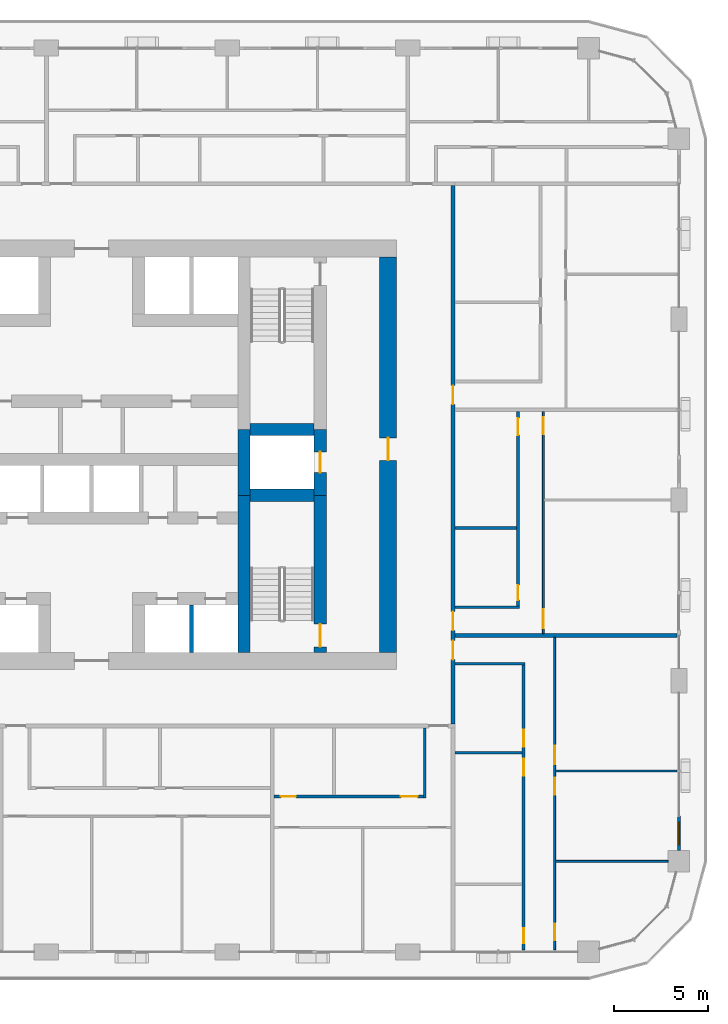
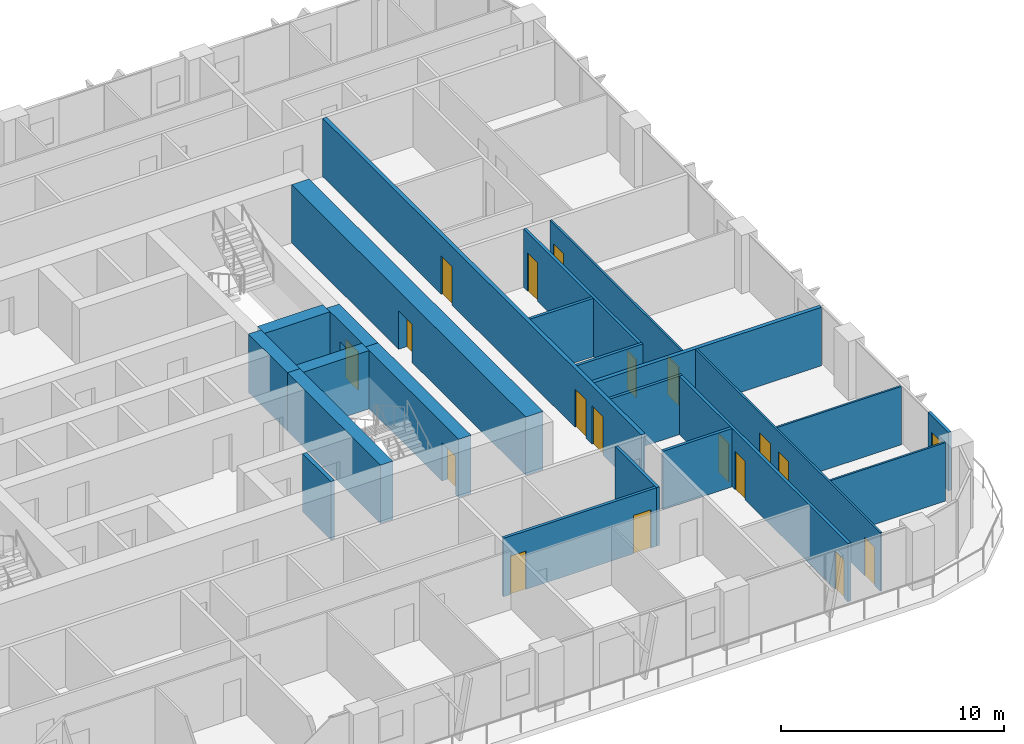
# One storey, part 12 of 22: 23 walls, 18 doors, 1 window, 19 openings.
"""IFC4 building model written with IfcOpenShell, lengths in metres."""

from ifc_helpers import new_model, si_unit, direction, frame, frame_2d, origin, place, context, subcontext, project, spatial, rectangle, extrude, material, layer, layer_set, type_object, element, fill, save


model = new_model("IFC4")

# Units and contexts
model_context = context("Model", 3, precision=1e-05, world=origin(), true_north=direction((0.0, 1.0)))
body_context = subcontext(model_context, "Body", "Model", "MODEL_VIEW")
ifc_project = project(units=[si_unit("LENGTHUNIT", "METRE"), si_unit("AREAUNIT", "SQUARE_METRE"), si_unit("VOLUMEUNIT", "CUBIC_METRE"), si_unit("PLANEANGLEUNIT", "RADIAN"), si_unit("MASSUNIT", "GRAM", prefix="KILO")], contexts=[model_context])

# Site, building, storey
site_placement = place(None, origin())
site = spatial("IfcSite", under=ifc_project, at=site_placement, CompositionType="ELEMENT")
building_placement = place(site_placement, origin())
building = spatial("IfcBuilding", under=site, at=building_placement, Name="Madar Terraces", CompositionType="ELEMENT")
storey_placement = place(building_placement, frame((0.0, 0.0, 66.300048828125)))
storey = spatial("IfcBuildingStorey", under=building, at=storey_placement, Name="L16", CompositionType="ELEMENT", Elevation=66.300048828125)

# Walls
ifc_material_1 = material(Name="Concrete C80/95", Category="concrete")
ifc_layer_1 = layer(ifc_material_1, 0.64990234375)
ifc_layer_set_1 = layer_set([ifc_layer_1], Name="Concrete C80/95 (CIW2 RC wall 650)")
wall_type_1 = type_object("IfcWallType", Name="CIW2 RC wall 650", PredefinedType="SHEAR", material=ifc_layer_set_1)
wall_1_placement = place(storey_placement, frame((39.300048828125, 15.89990234375, 0.0), z_axis=(0.0, 0.0, 1.0), x_axis=(0.0, 1.0, 0.0)))
element("IfcWall", 1, at=wall_1_placement, inside=storey, type_object=wall_type_1, Name="CORE SHAFT WALL", PredefinedType="SHEAR", context=body_context, shape_type="SweptSolid", body=[
    extrude(rectangle(XDim=8.35009765625, YDim=0.64990234375, at=frame_2d((4.175048828125, 0.0))), origin(), (0.0, 0.0, 1.0), 3.199951171875),
])
wall_2_placement = place(storey_placement, frame((39.300048828125, 24.25, 0.0), z_axis=(0.0, 0.0, 1.0), x_axis=(0.0, 1.0, 0.0)))
element("IfcWall", 2, at=wall_2_placement, inside=storey, type_object=wall_type_1, Name="CORE SHAFT WALL", PredefinedType="SHEAR", context=body_context, shape_type="SweptSolid", body=[
    extrude(rectangle(XDim=3.5, YDim=0.64990234375, at=frame_2d((1.75, 0.0))), origin(), (0.0, 0.0, 1.0), 3.199951171875),
])

# Wall, opening, door
wall_3_placement = place(storey_placement, frame((43.35009765625, 15.89990234375, 0.0), z_axis=(0.0, 0.0, 1.0), x_axis=(0.0, 1.0, 0.0)))
wall_3 = element("IfcWall", 3, at=wall_3_placement, inside=storey, type_object=wall_type_1, Name="CORE SHAFT WALL", PredefinedType="SHEAR", context=body_context, shape_type="SweptSolid", body=[
    extrude(rectangle(XDim=8.35009765625, YDim=0.64990234375, at=frame_2d((4.175048828125, 0.0))), origin(), (0.0, 0.0, 1.0), 3.199951171875),
])
opening_1_placement = place(wall_3_placement, frame((0.300048828125, 0.0, 0.0)))
opening_1 = element("IfcOpeningElement", 4, at=opening_1_placement, cuts=wall_3, Name="Opening SD1", PredefinedType="OPENING", context=body_context, shape_type="SweptSolid", body=[
    extrude(rectangle(XDim=1.199951171875, YDim=2.10009765625, at=frame_2d((0.60009765625, 1.050048828125))), frame((0.0, 0.3349609375, 0.0), z_axis=(0.0, -1.0, 0.0), x_axis=(1.0, 0.0, 0.0)), (0.0, 0.0, 1.0), 0.669921875),
])
ifc_material_2 = material(Name="Steel door leaf", Category="steel")
door_type_1 = type_object("IfcDoorType", Name="Stair door 1200 x 2100", OperationType="NOTDEFINED", PredefinedType="DOOR", material=ifc_material_2)
door_1_placement = place(opening_1_placement, origin())
door_1 = element("IfcDoor", 5, at=door_1_placement, inside=storey, type_object=door_type_1, Name="STAIR DOOR", OperationType="SINGLE_SWING_LEFT", OverallHeight=2.10009765625, OverallWidth=1.199951171875, PredefinedType="DOOR", context=body_context, shape_type="SweptSolid", body=[
    extrude(rectangle(XDim=1.199951171875, YDim=2.10009765625, at=frame_2d((0.60009765625, 1.050048828125))), frame((0.0, 0.02490234375, 0.0), z_axis=(0.0, -1.0, 0.0), x_axis=(1.0, 0.0, 0.0)), (0.0, 0.0, 1.0), 0.050048828125),
])
fill(opening_1, door_1)

wall_4_placement = place(storey_placement, frame((43.35009765625, 24.25, 0.0), z_axis=(0.0, 0.0, 1.0), x_axis=(0.0, 1.0, 0.0)))
wall_4 = element("IfcWall", 6, at=wall_4_placement, inside=storey, type_object=wall_type_1, Name="CORE SHAFT WALL", PredefinedType="SHEAR", context=body_context, shape_type="SweptSolid", body=[
    extrude(rectangle(XDim=3.5, YDim=0.64990234375, at=frame_2d((1.75, 0.0))), origin(), (0.0, 0.0, 1.0), 3.199951171875),
])
opening_2_placement = place(wall_4_placement, frame((1.199951171875, 0.0, 0.0)))
opening_2 = element("IfcOpeningElement", 7, at=opening_2_placement, cuts=wall_4, Name="Opening LD", PredefinedType="OPENING", context=body_context, shape_type="SweptSolid", body=[
    extrude(rectangle(XDim=1.10009765625, YDim=2.10009765625, at=frame_2d((0.550048828125, 1.050048828125))), frame((0.0, 0.3349609375, 0.0), z_axis=(0.0, -1.0, 0.0), x_axis=(1.0, 0.0, 0.0)), (0.0, 0.0, 1.0), 0.669921875),
])
ifc_material_3 = material(Name="Stainless steel panel", Category="steel")
door_type_2 = type_object("IfcDoorType", Name="Lift landing door 1100 x 2100", OperationType="DOUBLE_DOOR_SLIDING", PredefinedType="DOOR", material=ifc_material_3)
door_2_placement = place(opening_2_placement, origin())
door_2 = element("IfcDoor", 8, at=door_2_placement, inside=storey, type_object=door_type_2, Name="LIFT LANDING DOOR", OperationType="DOUBLE_DOOR_SLIDING", OverallHeight=2.10009765625, OverallWidth=1.10009765625, PredefinedType="DOOR", context=body_context, shape_type="SweptSolid", body=[
    extrude(rectangle(XDim=1.10009765625, YDim=2.10009765625, at=frame_2d((0.550048828125, 1.050048828125))), frame((0.0, 0.02490234375, 0.0), z_axis=(0.0, -1.0, 0.0), x_axis=(1.0, 0.0, 0.0)), (0.0, 0.0, 1.0), 0.050048828125),
])
fill(opening_2, door_2)

# Walls
for number, where, z_axis, x_axis, name in (
    (9, (39.625, 24.25, 0.0), (0.0, 0.0, 1.0), (1.0, 0.0, 0.0), "CORE SHAFT WALL"),
    (10, (39.625, 27.75, 0.0), (0.0, 0.0, 1.0), (1.0, 0.0, 0.0), "CORE SHAFT WALL"),
):
    element("IfcWall", number, at=place(storey_placement, frame(where, z_axis=z_axis, x_axis=x_axis)), inside=storey, type_object=wall_type_1, Name=name, PredefinedType="SHEAR", context=body_context, shape_type="SweptSolid", body=[
        extrude(rectangle(XDim=3.39990234375, YDim=0.64990234375, at=frame_2d((1.699951171875, 0.0))), origin(), (0.0, 0.0, 1.0), 3.199951171875),
    ])

# Wall, opening, door
ifc_material_4 = material(Name="Concrete C80/95", Category="concrete")
ifc_layer_2 = layer(ifc_material_4, 0.89990234375)
ifc_layer_set_2 = layer_set([ifc_layer_2], Name="Concrete C80/95 (CRW2 RC wall 900)")
wall_type_2 = type_object("IfcWallType", Name="CRW2 RC wall 900", PredefinedType="SHEAR", material=ifc_layer_set_2)
wall_5_placement = place(storey_placement, frame((46.949951171875, 15.89990234375, 0.0), z_axis=(0.0, 0.0, 1.0), x_axis=(0.0, 1.0, 0.0)))
wall_5 = element("IfcWall", 11, at=wall_5_placement, inside=storey, type_object=wall_type_2, Name="CORE OUTER WALL", PredefinedType="SHEAR", context=body_context, shape_type="SweptSolid", body=[
    extrude(rectangle(XDim=21.0, YDim=0.89990234375, at=frame_2d((10.5, 0.0))), origin(), (0.0, 0.0, 1.0), 3.199951171875),
])
opening_3_placement = place(wall_5_placement, frame((10.199951171875, 0.0, 0.0)))
opening_3 = element("IfcOpeningElement", 12, at=opening_3_placement, cuts=wall_5, Name="Opening SD1", PredefinedType="OPENING", context=body_context, shape_type="SweptSolid", body=[
    extrude(rectangle(XDim=1.199951171875, YDim=2.10009765625, at=frame_2d((0.60009765625, 1.050048828125))), frame((0.0, 0.4599609375, 0.0), z_axis=(0.0, -1.0, 0.0), x_axis=(1.0, 0.0, 0.0)), (0.0, 0.0, 1.0), 0.919921875),
])
door_3_placement = place(opening_3_placement, origin())
door_3 = element("IfcDoor", 13, at=door_3_placement, inside=storey, type_object=door_type_1, Name="STAIR DOOR", OperationType="SINGLE_SWING_RIGHT", OverallHeight=2.10009765625, OverallWidth=1.199951171875, PredefinedType="DOOR", context=body_context, shape_type="SweptSolid", body=[
    extrude(rectangle(XDim=1.199951171875, YDim=2.10009765625, at=frame_2d((0.60009765625, 1.050048828125))), frame((0.0, 0.02490234375, 0.0), z_axis=(0.0, -1.0, 0.0), x_axis=(1.0, 0.0, 0.0)), (0.0, 0.0, 1.0), 0.050048828125),
])
fill(opening_3, door_3)

# Wall
ifc_material_5 = material(Name="Concrete C40/50", Category="concrete")
ifc_layer_3 = layer(ifc_material_5, 0.199951171875)
ifc_layer_set_3 = layer_set([ifc_layer_3], Name="Core shaft dividing wall 200 C40/50")
wall_type_3 = type_object("IfcWallType", Name="Core shaft dividing wall 200 C40/50", PredefinedType="SOLIDWALL", material=ifc_layer_set_3)
wall_6_placement = place(storey_placement, frame((36.5, 15.89990234375, 0.0), z_axis=(0.0, 0.0, 1.0), x_axis=(0.0, 1.0, 0.0)))
element("IfcWall", 14, at=wall_6_placement, inside=storey, type_object=wall_type_3, Name="SHAFT DIVIDING WALL", PredefinedType="SOLIDWALL", context=body_context, shape_type="SweptSolid", body=[
    extrude(rectangle(XDim=2.525146484375, YDim=0.199951171875, at=frame_2d((1.2626953125, 0.0))), origin(), (0.0, 0.0, 1.0), 3.199951171875),
])

# Wall, opening, window
ifc_material_6 = material(Name="Aluminium composite panel, black, over insulated backing", Category="aluminium")
ifc_layer_4 = layer(ifc_material_6, 0.14990234375)
ifc_layer_set_4 = layer_set([ifc_layer_4], Name="Facade bay panel 150")
wall_type_4 = type_object("IfcWallType", Name="Facade bay panel 150", PredefinedType="SOLIDWALL", material=ifc_layer_set_4)
wall_7_placement = place(storey_placement, frame((62.39990234375, 5.375, 0.0), z_axis=(0.0, 0.0, 1.0), x_axis=(0.0, 1.0, 0.0)))
wall_7 = element("IfcWall", 15, at=wall_7_placement, inside=storey, type_object=wall_type_4, Name="Facade bay panel", PredefinedType="SOLIDWALL", context=body_context, shape_type="SweptSolid", body=[
    extrude(rectangle(XDim=1.824951171875, YDim=0.14990234375, at=frame_2d((0.91259765625, 0.0))), origin(), (0.0, 0.0, 1.0), 3.199951171875),
])
opening_4_placement = place(wall_7_placement, frame((0.3125, 0.0, 0.89990234375)))
opening_4 = element("IfcOpeningElement", 16, at=opening_4_placement, cuts=wall_7, Name="Opening W1", PredefinedType="OPENING", context=body_context, shape_type="SweptSolid", body=[
    extrude(rectangle(XDim=1.199951171875, YDim=1.39990234375, at=frame_2d((0.60009765625, 0.699951171875))), frame((0.0, 0.0849609375, 0.0), z_axis=(0.0, -1.0, 0.0), x_axis=(1.0, 0.0, 0.0)), (0.0, 0.0, 1.0), 0.169921875),
])
ifc_material_7 = material(Name="Glass, clear, with black aluminium frame", Category="aluminium")
window_type = type_object("IfcWindowType", Name="Vent window 1200 x 1400", PartitioningType="SINGLE_PANEL", PredefinedType="WINDOW", material=ifc_material_7)
window_placement = place(opening_4_placement, origin())
window = element("IfcWindow", 17, at=window_placement, inside=storey, type_object=window_type, Name="Operable vent window", OverallHeight=1.39990234375, OverallWidth=1.199951171875, PartitioningType="SINGLE_PANEL", PredefinedType="WINDOW", context=body_context, shape_type="SweptSolid", body=[
    extrude(rectangle(XDim=1.199951171875, YDim=1.39990234375, at=frame_2d((0.60009765625, 0.699951171875))), frame((0.0, 0.030029296875, 0.0), z_axis=(0.0, -1.0, 0.0), x_axis=(1.0, 0.0, 0.0)), (0.0, 0.0, 1.0), 0.06005859375),
])
fill(opening_4, window)

# Walls
ifc_material_8 = material(Name="Gypsum board on steel studs", Category="steel")
ifc_layer_5 = layer(ifc_material_8, 0.10009765625)
ifc_layer_set_5 = layer_set([ifc_layer_5], Name="Flat partition 100")
wall_type_5 = type_object("IfcWallType", Name="Flat partition 100", PredefinedType="PARTITIONING", material=ifc_layer_set_5)
wall_8_placement = place(storey_placement, frame((55.85009765625, 9.60009765625, 0.0), z_axis=(0.0, 0.0, 1.0), x_axis=(1.0, 0.0, 0.0)))
element("IfcWall", 18, at=wall_8_placement, inside=storey, type_object=wall_type_5, Name="Flat partition 100", PredefinedType="PARTITIONING", context=body_context, shape_type="SweptSolid", body=[
    extrude(rectangle(XDim=6.449951171875, YDim=0.10009765625, at=frame_2d((3.22509765625, 0.0))), origin(), (0.0, 0.0, 1.0), 3.199951171875),
])
wall_9_placement = place(storey_placement, frame((55.85009765625, 4.800048828125, 0.0), z_axis=(0.0, 0.0, 1.0), x_axis=(1.0, 0.0, 0.0)))
element("IfcWall", 19, at=wall_9_placement, inside=storey, type_object=wall_type_5, Name="Flat partition 100", PredefinedType="PARTITIONING", context=body_context, shape_type="SweptSolid", body=[
    extrude(rectangle(XDim=5.974853515625, YDim=0.10009765625, at=frame_2d((2.9873046875, 0.0))), origin(), (0.0, 0.0, 1.0), 3.199951171875),
])

# Wall, openings, doors
wall_10_placement = place(storey_placement, frame((55.800048828125, 16.699951171875, 0.0), z_axis=(0.0, 0.0, 1.0), x_axis=(0.0, -1.0, 0.0)))
wall_10 = element("IfcWall", 20, at=wall_10_placement, inside=storey, type_object=wall_type_5, Name="Flat partition 100", PredefinedType="PARTITIONING", context=body_context, shape_type="SweptSolid", body=[
    extrude(rectangle(XDim=16.599853515625, YDim=0.10009765625, at=frame_2d((8.2998046875, 0.0))), origin(), (0.0, 0.0, 1.0), 3.199951171875),
])
opening_5_placement = place(wall_10_placement, frame((5.75, 0.0, 0.0)))
opening_5 = element("IfcOpeningElement", 21, at=opening_5_placement, cuts=wall_10, Name="Opening D3", PredefinedType="OPENING", context=body_context, shape_type="SweptSolid", body=[
    extrude(rectangle(XDim=1.0, YDim=2.10009765625, at=frame_2d((0.5, 1.050048828125))), frame((0.0, 0.06005859375, 0.0), z_axis=(0.0, -1.0, 0.0), x_axis=(1.0, 0.0, 0.0)), (0.0, 0.0, 1.0), 0.1201171875),
])
opening_6_placement = place(wall_10_placement, frame((7.449951171875, 0.0, 0.0)))
opening_6 = element("IfcOpeningElement", 22, at=opening_6_placement, cuts=wall_10, Name="Opening D2", PredefinedType="OPENING", context=body_context, shape_type="SweptSolid", body=[
    extrude(rectangle(XDim=0.89990234375, YDim=2.10009765625, at=frame_2d((0.449951171875, 1.050048828125))), frame((0.0, 0.06005859375, 0.0), z_axis=(0.0, -1.0, 0.0), x_axis=(1.0, 0.0, 0.0)), (0.0, 0.0, 1.0), 0.1201171875),
])
opening_7_placement = place(wall_10_placement, frame((15.199951171875, 0.0, 0.0)))
opening_7 = element("IfcOpeningElement", 23, at=opening_7_placement, cuts=wall_10, Name="Opening D2", PredefinedType="OPENING", context=body_context, shape_type="SweptSolid", body=[
    extrude(rectangle(XDim=0.89990234375, YDim=2.10009765625, at=frame_2d((0.449951171875, 1.050048828125))), frame((0.0, 0.06005859375, 0.0), z_axis=(0.0, -1.0, 0.0), x_axis=(1.0, 0.0, 0.0)), (0.0, 0.0, 1.0), 0.1201171875),
])
ifc_material_9 = material(Name="Timber door leaf", Category="wood")
door_type_3 = type_object("IfcDoorType", Name="Flat living room door 1000", OperationType="NOTDEFINED", PredefinedType="DOOR", material=ifc_material_9)
door_4_placement = place(opening_5_placement, origin())
door_4 = element("IfcDoor", 24, at=door_4_placement, inside=storey, type_object=door_type_3, Name="Flat living room door 1000", OperationType="SINGLE_SWING_RIGHT", OverallHeight=2.10009765625, OverallWidth=1.0, PredefinedType="DOOR", context=body_context, shape_type="SweptSolid", body=[
    extrude(rectangle(XDim=1.0, YDim=2.10009765625, at=frame_2d((0.5, 1.050048828125))), frame((0.0, 0.02490234375, 0.0), z_axis=(0.0, -1.0, 0.0), x_axis=(1.0, 0.0, 0.0)), (0.0, 0.0, 1.0), 0.050048828125),
])
fill(opening_5, door_4)
ifc_material_10 = material(Name="Timber door leaf", Category="wood")
door_type_4 = type_object("IfcDoorType", Name="Flat room door 900", OperationType="NOTDEFINED", PredefinedType="DOOR", material=ifc_material_10)
door_5_placement = place(opening_6_placement, origin())
door_5 = element("IfcDoor", 25, at=door_5_placement, inside=storey, type_object=door_type_4, Name="Flat room door 900", OperationType="SINGLE_SWING_LEFT", OverallHeight=2.10009765625, OverallWidth=0.89990234375, PredefinedType="DOOR", context=body_context, shape_type="SweptSolid", body=[
    extrude(rectangle(XDim=0.89990234375, YDim=2.10009765625, at=frame_2d((0.449951171875, 1.050048828125))), frame((0.0, 0.02490234375, 0.0), z_axis=(0.0, -1.0, 0.0), x_axis=(1.0, 0.0, 0.0)), (0.0, 0.0, 1.0), 0.050048828125),
])
fill(opening_6, door_5)
door_6_placement = place(opening_7_placement, origin())
door_6 = element("IfcDoor", 26, at=door_6_placement, inside=storey, type_object=door_type_4, Name="Flat room door 900", OperationType="SINGLE_SWING_RIGHT", OverallHeight=2.10009765625, OverallWidth=0.89990234375, PredefinedType="DOOR", context=body_context, shape_type="SweptSolid", body=[
    extrude(rectangle(XDim=0.89990234375, YDim=2.10009765625, at=frame_2d((0.449951171875, 1.050048828125))), frame((0.0, 0.02490234375, 0.0), z_axis=(0.0, -1.0, 0.0), x_axis=(1.0, 0.0, 0.0)), (0.0, 0.0, 1.0), 0.050048828125),
])
fill(opening_7, door_6)

wall_11_placement = place(storey_placement, frame((55.199951171875, 28.699951171875, 0.0), z_axis=(0.0, 0.0, 1.0), x_axis=(0.0, -1.0, 0.0)))
wall_11 = element("IfcWall", 27, at=wall_11_placement, inside=storey, type_object=wall_type_5, Name="Flat partition 100", PredefinedType="PARTITIONING", context=body_context, shape_type="SweptSolid", body=[
    extrude(rectangle(XDim=11.800048828125, YDim=0.10009765625, at=frame_2d((5.89990234375, 0.0))), origin(), (0.0, 0.0, 1.0), 3.199951171875),
])
opening_8_placement = place(wall_11_placement, frame((10.5, 0.0, 0.0)))
opening_8 = element("IfcOpeningElement", 28, at=opening_8_placement, cuts=wall_11, Name="Opening D3", PredefinedType="OPENING", context=body_context, shape_type="SweptSolid", body=[
    extrude(rectangle(XDim=1.0, YDim=2.10009765625, at=frame_2d((0.5, 1.050048828125))), frame((0.0, 0.06005859375, 0.0), z_axis=(0.0, -1.0, 0.0), x_axis=(1.0, 0.0, 0.0)), (0.0, 0.0, 1.0), 0.1201171875),
])
opening_9_placement = place(wall_11_placement, frame((0.300048828125, 0.0, 0.0)))
opening_9 = element("IfcOpeningElement", 29, at=opening_9_placement, cuts=wall_11, Name="Opening D2", PredefinedType="OPENING", context=body_context, shape_type="SweptSolid", body=[
    extrude(rectangle(XDim=0.89990234375, YDim=2.10009765625, at=frame_2d((0.449951171875, 1.050048828125))), frame((0.0, 0.06005859375, 0.0), z_axis=(0.0, -1.0, 0.0), x_axis=(1.0, 0.0, 0.0)), (0.0, 0.0, 1.0), 0.1201171875),
])
door_7_placement = place(opening_8_placement, origin())
door_7 = element("IfcDoor", 30, at=door_7_placement, inside=storey, type_object=door_type_3, Name="Flat living room door 1000", OperationType="SINGLE_SWING_RIGHT", OverallHeight=2.10009765625, OverallWidth=1.0, PredefinedType="DOOR", context=body_context, shape_type="SweptSolid", body=[
    extrude(rectangle(XDim=1.0, YDim=2.10009765625, at=frame_2d((0.5, 1.050048828125))), frame((0.0, 0.02490234375, 0.0), z_axis=(0.0, -1.0, 0.0), x_axis=(1.0, 0.0, 0.0)), (0.0, 0.0, 1.0), 0.050048828125),
])
fill(opening_8, door_7)
door_8_placement = place(opening_9_placement, origin())
door_8 = element("IfcDoor", 31, at=door_8_placement, inside=storey, type_object=door_type_4, Name="Flat room door 900", OperationType="SINGLE_SWING_LEFT", OverallHeight=2.10009765625, OverallWidth=0.89990234375, PredefinedType="DOOR", context=body_context, shape_type="SweptSolid", body=[
    extrude(rectangle(XDim=0.89990234375, YDim=2.10009765625, at=frame_2d((0.449951171875, 1.050048828125))), frame((0.0, 0.02490234375, 0.0), z_axis=(0.0, -1.0, 0.0), x_axis=(1.0, 0.0, 0.0)), (0.0, 0.0, 1.0), 0.050048828125),
])
fill(opening_9, door_8)

ifc_material_11 = material(Name="Lightweight blockwork", Category="masonry")
ifc_layer_6 = layer(ifc_material_11, 0.199951171875)
ifc_layer_set_6 = layer_set([ifc_layer_6], Name="Flat party and entrance wall 200")
wall_type_6 = type_object("IfcWallType", Name="Flat party and entrance wall 200", PredefinedType="PARTITIONING", material=ifc_layer_set_6)
wall_12_placement = place(storey_placement, frame((50.39990234375, 40.699951171875, 0.0), z_axis=(0.0, 0.0, 1.0), x_axis=(0.0, -1.0, 0.0)))
wall_12 = element("IfcWall", 32, at=wall_12_placement, inside=storey, type_object=wall_type_6, Name="Flat party and entrance wall 200", PredefinedType="PARTITIONING", context=body_context, shape_type="SweptSolid", body=[
    extrude(rectangle(XDim=28.599853515625, YDim=0.199951171875, at=frame_2d((14.2998046875, 0.0))), origin(), (0.0, 0.0, 1.0), 3.199951171875),
])
opening_10_placement = place(wall_12_placement, frame((24.175048828125, 0.0, 0.0)))
opening_10 = element("IfcOpeningElement", 33, at=opening_10_placement, cuts=wall_12, Name="Opening D1", PredefinedType="OPENING", context=body_context, shape_type="SweptSolid", body=[
    extrude(rectangle(XDim=1.0, YDim=2.10009765625, at=frame_2d((0.5, 1.050048828125))), frame((0.0, 0.10986328125, 0.0), z_axis=(0.0, -1.0, 0.0), x_axis=(1.0, 0.0, 0.0)), (0.0, 0.0, 1.0), 0.219970703125),
])
opening_11_placement = place(wall_12_placement, frame((22.625, 0.0, 0.0)))
opening_11 = element("IfcOpeningElement", 34, at=opening_11_placement, cuts=wall_12, Name="Opening D1", PredefinedType="OPENING", context=body_context, shape_type="SweptSolid", body=[
    extrude(rectangle(XDim=1.0, YDim=2.10009765625, at=frame_2d((0.5, 1.050048828125))), frame((0.0, 0.10986328125, 0.0), z_axis=(0.0, -1.0, 0.0), x_axis=(1.0, 0.0, 0.0)), (0.0, 0.0, 1.0), 0.219970703125),
])
opening_12_placement = place(wall_12_placement, frame((10.625, 0.0, 0.0)))
opening_12 = element("IfcOpeningElement", 35, at=opening_12_placement, cuts=wall_12, Name="Opening D1", PredefinedType="OPENING", context=body_context, shape_type="SweptSolid", body=[
    extrude(rectangle(XDim=1.0, YDim=2.10009765625, at=frame_2d((0.5, 1.050048828125))), frame((0.0, 0.10986328125, 0.0), z_axis=(0.0, -1.0, 0.0), x_axis=(1.0, 0.0, 0.0)), (0.0, 0.0, 1.0), 0.219970703125),
])
ifc_material_12 = material(Name="Timber fire door leaf", Category="wood")
door_type_5 = type_object("IfcDoorType", Name="Flat entrance door 1000 FD30S", OperationType="NOTDEFINED", PredefinedType="DOOR", material=ifc_material_12)
door_9_placement = place(opening_10_placement, origin())
door_9 = element("IfcDoor", 36, at=door_9_placement, inside=storey, type_object=door_type_5, Name="Flat entrance door 1000 FD30S", OperationType="SINGLE_SWING_LEFT", OverallHeight=2.10009765625, OverallWidth=1.0, PredefinedType="DOOR", context=body_context, shape_type="SweptSolid", body=[
    extrude(rectangle(XDim=1.0, YDim=2.10009765625, at=frame_2d((0.5, 1.050048828125))), frame((0.0, 0.02490234375, 0.0), z_axis=(0.0, -1.0, 0.0), x_axis=(1.0, 0.0, 0.0)), (0.0, 0.0, 1.0), 0.050048828125),
])
fill(opening_10, door_9)
door_10_placement = place(opening_11_placement, origin())
door_10 = element("IfcDoor", 37, at=door_10_placement, inside=storey, type_object=door_type_5, Name="Flat entrance door 1000 FD30S", OperationType="SINGLE_SWING_RIGHT", OverallHeight=2.10009765625, OverallWidth=1.0, PredefinedType="DOOR", context=body_context, shape_type="SweptSolid", body=[
    extrude(rectangle(XDim=1.0, YDim=2.10009765625, at=frame_2d((0.5, 1.050048828125))), frame((0.0, 0.02490234375, 0.0), z_axis=(0.0, -1.0, 0.0), x_axis=(1.0, 0.0, 0.0)), (0.0, 0.0, 1.0), 0.050048828125),
])
fill(opening_11, door_10)
door_11_placement = place(opening_12_placement, origin())
door_11 = element("IfcDoor", 38, at=door_11_placement, inside=storey, type_object=door_type_5, Name="Flat entrance door 1000 FD30S", OperationType="SINGLE_SWING_RIGHT", OverallHeight=2.10009765625, OverallWidth=1.0, PredefinedType="DOOR", context=body_context, shape_type="SweptSolid", body=[
    extrude(rectangle(XDim=1.0, YDim=2.10009765625, at=frame_2d((0.5, 1.050048828125))), frame((0.0, 0.02490234375, 0.0), z_axis=(0.0, -1.0, 0.0), x_axis=(1.0, 0.0, 0.0)), (0.0, 0.0, 1.0), 0.050048828125),
])
fill(opening_12, door_11)

# Walls
wall_13_placement = place(storey_placement, frame((50.5, 16.800048828125, 0.0), z_axis=(0.0, 0.0, 1.0), x_axis=(1.0, 0.0, 0.0)))
element("IfcWall", 39, at=wall_13_placement, inside=storey, type_object=wall_type_6, Name="Flat party and entrance wall 200", PredefinedType="PARTITIONING", context=body_context, shape_type="SweptSolid", body=[
    extrude(rectangle(XDim=11.800048828125, YDim=0.199951171875, at=frame_2d((5.89990234375, 0.0))), origin(), (0.0, 0.0, 1.0), 3.199951171875),
])
ifc_material_13 = material(Name="Lightweight blockwork", Category="masonry")
ifc_layer_7 = layer(ifc_material_13, 0.14990234375)
ifc_layer_set_7 = layer_set([ifc_layer_7], Name="Flat wet-room partition 150")
wall_type_7 = type_object("IfcWallType", Name="Flat wet-room partition 150", PredefinedType="PARTITIONING", material=ifc_layer_set_7)
wall_14_placement = place(storey_placement, frame((48.89990234375, 11.89990234375, 0.0), z_axis=(0.0, 0.0, 1.0), x_axis=(0.0, -1.0, 0.0)))
element("IfcWall", 40, at=wall_14_placement, inside=storey, type_object=wall_type_7, Name="Flat wet-room partition 150", PredefinedType="PARTITIONING", context=body_context, shape_type="SweptSolid", body=[
    extrude(rectangle(XDim=3.724853515625, YDim=0.14990234375, at=frame_2d((1.8623046875, 0.0))), origin(), (0.0, 0.0, 1.0), 3.199951171875),
])

# Wall, openings, doors
wall_15_placement = place(storey_placement, frame((40.89990234375, 8.25, 0.0), z_axis=(0.0, 0.0, 1.0), x_axis=(1.0, 0.0, 0.0)))
wall_15 = element("IfcWall", 41, at=wall_15_placement, inside=storey, type_object=wall_type_7, Name="Flat wet-room partition 150", PredefinedType="PARTITIONING", context=body_context, shape_type="SweptSolid", body=[
    extrude(rectangle(XDim=7.925048828125, YDim=0.14990234375, at=frame_2d((3.96240234375, 0.0))), origin(), (0.0, 0.0, 1.0), 3.199951171875),
])
opening_13_placement = place(wall_15_placement, frame((6.72509765625, 0.0, 0.0)))
opening_13 = element("IfcOpeningElement", 42, at=opening_13_placement, cuts=wall_15, Name="Opening D2", PredefinedType="OPENING", context=body_context, shape_type="SweptSolid", body=[
    extrude(rectangle(XDim=0.89990234375, YDim=2.10009765625, at=frame_2d((0.449951171875, 1.050048828125))), frame((0.0, 0.0849609375, 0.0), z_axis=(0.0, -1.0, 0.0), x_axis=(1.0, 0.0, 0.0)), (0.0, 0.0, 1.0), 0.169921875),
])
opening_14_placement = place(wall_15_placement, frame((0.35009765625, 0.0, 0.0)))
opening_14 = element("IfcOpeningElement", 43, at=opening_14_placement, cuts=wall_15, Name="Opening D4", PredefinedType="OPENING", context=body_context, shape_type="SweptSolid", body=[
    extrude(rectangle(XDim=0.800048828125, YDim=2.10009765625, at=frame_2d((0.39990234375, 1.050048828125))), frame((0.0, 0.0849609375, 0.0), z_axis=(0.0, -1.0, 0.0), x_axis=(1.0, 0.0, 0.0)), (0.0, 0.0, 1.0), 0.169921875),
])
ifc_material_14 = material(Name="Timber door leaf", Category="wood")
door_type_6 = type_object("IfcDoorType", Name="Flat bathroom door 800", OperationType="NOTDEFINED", PredefinedType="DOOR", material=ifc_material_14)
door_12_placement = place(opening_14_placement, origin())
door_12 = element("IfcDoor", 44, at=door_12_placement, inside=storey, type_object=door_type_6, Name="Flat bathroom door 800", OperationType="SINGLE_SWING_LEFT", OverallHeight=2.10009765625, OverallWidth=0.800048828125, PredefinedType="DOOR", context=body_context, shape_type="SweptSolid", body=[
    extrude(rectangle(XDim=0.800048828125, YDim=2.10009765625, at=frame_2d((0.39990234375, 1.050048828125))), frame((0.0, 0.02490234375, 0.0), z_axis=(0.0, -1.0, 0.0), x_axis=(1.0, 0.0, 0.0)), (0.0, 0.0, 1.0), 0.050048828125),
])
fill(opening_14, door_12)
door_13_placement = place(opening_13_placement, origin())
door_13 = element("IfcDoor", 45, at=door_13_placement, inside=storey, type_object=door_type_4, Name="Flat room door 900", OperationType="SINGLE_SWING_RIGHT", OverallHeight=2.10009765625, OverallWidth=0.89990234375, PredefinedType="DOOR", context=body_context, shape_type="SweptSolid", body=[
    extrude(rectangle(XDim=0.89990234375, YDim=2.10009765625, at=frame_2d((0.449951171875, 1.050048828125))), frame((0.0, 0.02490234375, 0.0), z_axis=(0.0, -1.0, 0.0), x_axis=(1.0, 0.0, 0.0)), (0.0, 0.0, 1.0), 0.050048828125),
])
fill(opening_13, door_13)

# Walls
wall_16_placement = place(storey_placement, frame((50.5, 10.5712890625, 0.0), z_axis=(0.0, 0.0, 1.0), x_axis=(1.0, 0.0, 0.0)))
element("IfcWall", 46, at=wall_16_placement, inside=storey, type_object=wall_type_7, Name="Flat wet-room partition 150", PredefinedType="PARTITIONING", context=body_context, shape_type="SweptSolid", body=[
    extrude(rectangle(XDim=3.574951171875, YDim=0.14990234375, at=frame_2d((1.78759765625, 0.0))), origin(), (0.0, 0.0, 1.0), 3.199951171875),
])
wall_17_placement = place(storey_placement, frame((50.5, 15.300048828125, 0.0), z_axis=(0.0, 0.0, 1.0), x_axis=(1.0, 0.0, 0.0)))
element("IfcWall", 47, at=wall_17_placement, inside=storey, type_object=wall_type_7, Name="Flat wet-room partition 150", PredefinedType="PARTITIONING", context=body_context, shape_type="SweptSolid", body=[
    extrude(rectangle(XDim=3.72509765625, YDim=0.14990234375, at=frame_2d((1.862548828125, 0.0))), origin(), (0.0, 0.0, 1.0), 3.199951171875),
])

# Wall, openings, doors
wall_18_placement = place(storey_placement, frame((54.14990234375, 0.10009765625, 0.0), z_axis=(0.0, 0.0, 1.0), x_axis=(0.0, 1.0, 0.0)))
wall_18 = element("IfcWall", 48, at=wall_18_placement, inside=storey, type_object=wall_type_7, Name="Flat wet-room partition 150", PredefinedType="PARTITIONING", context=body_context, shape_type="SweptSolid", body=[
    extrude(rectangle(XDim=15.125, YDim=0.14990234375, at=frame_2d((7.5625, 0.0))), origin(), (0.0, 0.0, 1.0), 3.199951171875),
])
opening_15_placement = place(wall_18_placement, frame((10.796142578125, 0.0, 0.0)))
opening_15 = element("IfcOpeningElement", 49, at=opening_15_placement, cuts=wall_18, Name="Opening D5", PredefinedType="OPENING", context=body_context, shape_type="SweptSolid", body=[
    extrude(rectangle(XDim=0.89990234375, YDim=2.10009765625, at=frame_2d((0.449951171875, 1.050048828125))), frame((0.0, 0.0849609375, 0.0), z_axis=(0.0, -1.0, 0.0), x_axis=(1.0, 0.0, 0.0)), (0.0, 0.0, 1.0), 0.169921875),
])
opening_16_placement = place(wall_18_placement, frame((9.24609375, 0.0, 0.0)))
opening_16 = element("IfcOpeningElement", 50, at=opening_16_placement, cuts=wall_18, Name="Opening D2", PredefinedType="OPENING", context=body_context, shape_type="SweptSolid", body=[
    extrude(rectangle(XDim=0.89990234375, YDim=2.10009765625, at=frame_2d((0.449951171875, 1.050048828125))), frame((0.0, 0.0849609375, 0.0), z_axis=(0.0, -1.0, 0.0), x_axis=(1.0, 0.0, 0.0)), (0.0, 0.0, 1.0), 0.169921875),
])
opening_17_placement = place(wall_18_placement, frame((0.35009765625, 0.0, 0.0)))
opening_17 = element("IfcOpeningElement", 51, at=opening_17_placement, cuts=wall_18, Name="Opening D4", PredefinedType="OPENING", context=body_context, shape_type="SweptSolid", body=[
    extrude(rectangle(XDim=0.800048828125, YDim=2.10009765625, at=frame_2d((0.39990234375, 1.050048828125))), frame((0.0, 0.0849609375, 0.0), z_axis=(0.0, -1.0, 0.0), x_axis=(1.0, 0.0, 0.0)), (0.0, 0.0, 1.0), 0.169921875),
])
ifc_material_15 = material(Name="Timber door leaf", Category="wood")
door_type_7 = type_object("IfcDoorType", Name="Flat accessible bathroom door 900", OperationType="NOTDEFINED", PredefinedType="DOOR", material=ifc_material_15)
door_14_placement = place(opening_15_placement, origin())
door_14 = element("IfcDoor", 52, at=door_14_placement, inside=storey, type_object=door_type_7, Name="Flat accessible bathroom door 900", OperationType="SINGLE_SWING_LEFT", OverallHeight=2.10009765625, OverallWidth=0.89990234375, PredefinedType="DOOR", context=body_context, shape_type="SweptSolid", body=[
    extrude(rectangle(XDim=0.89990234375, YDim=2.10009765625, at=frame_2d((0.449951171875, 1.050048828125))), frame((0.0, 0.02490234375, 0.0), z_axis=(0.0, -1.0, 0.0), x_axis=(1.0, 0.0, 0.0)), (0.0, 0.0, 1.0), 0.050048828125),
])
fill(opening_15, door_14)
door_15_placement = place(opening_17_placement, origin())
door_15 = element("IfcDoor", 53, at=door_15_placement, inside=storey, type_object=door_type_6, Name="Flat bathroom door 800", OperationType="SINGLE_SWING_LEFT", OverallHeight=2.10009765625, OverallWidth=0.800048828125, PredefinedType="DOOR", context=body_context, shape_type="SweptSolid", body=[
    extrude(rectangle(XDim=0.800048828125, YDim=2.10009765625, at=frame_2d((0.39990234375, 1.050048828125))), frame((0.0, 0.02490234375, 0.0), z_axis=(0.0, -1.0, 0.0), x_axis=(1.0, 0.0, 0.0)), (0.0, 0.0, 1.0), 0.050048828125),
])
fill(opening_17, door_15)
door_16_placement = place(opening_16_placement, origin())
door_16 = element("IfcDoor", 54, at=door_16_placement, inside=storey, type_object=door_type_4, Name="Flat room door 900", OperationType="SINGLE_SWING_RIGHT", OverallHeight=2.10009765625, OverallWidth=0.89990234375, PredefinedType="DOOR", context=body_context, shape_type="SweptSolid", body=[
    extrude(rectangle(XDim=0.89990234375, YDim=2.10009765625, at=frame_2d((0.449951171875, 1.050048828125))), frame((0.0, 0.02490234375, 0.0), z_axis=(0.0, -1.0, 0.0), x_axis=(1.0, 0.0, 0.0)), (0.0, 0.0, 1.0), 0.050048828125),
])
fill(opening_16, door_16)

# Walls
wall_19_placement = place(storey_placement, frame((50.5, 22.5048828125, 0.0), z_axis=(0.0, 0.0, 1.0), x_axis=(1.0, 0.0, 0.0)))
element("IfcWall", 55, at=wall_19_placement, inside=storey, type_object=wall_type_7, Name="Flat wet-room partition 150", PredefinedType="PARTITIONING", context=body_context, shape_type="SweptSolid", body=[
    extrude(rectangle(XDim=3.27490234375, YDim=0.14990234375, at=frame_2d((1.637451171875, 0.0))), origin(), (0.0, 0.0, 1.0), 3.199951171875),
])
wall_20_placement = place(storey_placement, frame((50.5, 18.300048828125, 0.0), z_axis=(0.0, 0.0, 1.0), x_axis=(1.0, 0.0, 0.0)))
element("IfcWall", 56, at=wall_20_placement, inside=storey, type_object=wall_type_7, Name="Flat wet-room partition 150", PredefinedType="PARTITIONING", context=body_context, shape_type="SweptSolid", body=[
    extrude(rectangle(XDim=3.425048828125, YDim=0.14990234375, at=frame_2d((1.71240234375, 0.0))), origin(), (0.0, 0.0, 1.0), 3.199951171875),
])

# Wall, openings, doors
wall_21_placement = place(storey_placement, frame((53.85009765625, 18.375, 0.0), z_axis=(0.0, 0.0, 1.0), x_axis=(0.0, 1.0, 0.0)))
wall_21 = element("IfcWall", 57, at=wall_21_placement, inside=storey, type_object=wall_type_7, Name="Flat wet-room partition 150", PredefinedType="PARTITIONING", context=body_context, shape_type="SweptSolid", body=[
    extrude(rectangle(XDim=10.324951171875, YDim=0.14990234375, at=frame_2d((5.16259765625, 0.0))), origin(), (0.0, 0.0, 1.0), 3.199951171875),
])
opening_18_placement = place(wall_21_placement, frame((0.300048828125, 0.0, 0.0)))
opening_18 = element("IfcOpeningElement", 58, at=opening_18_placement, cuts=wall_21, Name="Opening D4", PredefinedType="OPENING", context=body_context, shape_type="SweptSolid", body=[
    extrude(rectangle(XDim=0.800048828125, YDim=2.10009765625, at=frame_2d((0.39990234375, 1.050048828125))), frame((0.0, 0.0849609375, 0.0), z_axis=(0.0, -1.0, 0.0), x_axis=(1.0, 0.0, 0.0)), (0.0, 0.0, 1.0), 0.169921875),
])
opening_19_placement = place(wall_21_placement, frame((9.074951171875, 0.0, 0.0)))
opening_19 = element("IfcOpeningElement", 59, at=opening_19_placement, cuts=wall_21, Name="Opening D2", PredefinedType="OPENING", context=body_context, shape_type="SweptSolid", body=[
    extrude(rectangle(XDim=0.89990234375, YDim=2.10009765625, at=frame_2d((0.449951171875, 1.050048828125))), frame((0.0, 0.0849609375, 0.0), z_axis=(0.0, -1.0, 0.0), x_axis=(1.0, 0.0, 0.0)), (0.0, 0.0, 1.0), 0.169921875),
])
door_17_placement = place(opening_18_placement, origin())
door_17 = element("IfcDoor", 60, at=door_17_placement, inside=storey, type_object=door_type_6, Name="Flat bathroom door 800", OperationType="SINGLE_SWING_LEFT", OverallHeight=2.10009765625, OverallWidth=0.800048828125, PredefinedType="DOOR", context=body_context, shape_type="SweptSolid", body=[
    extrude(rectangle(XDim=0.800048828125, YDim=2.10009765625, at=frame_2d((0.39990234375, 1.050048828125))), frame((0.0, 0.02490234375, 0.0), z_axis=(0.0, -1.0, 0.0), x_axis=(1.0, 0.0, 0.0)), (0.0, 0.0, 1.0), 0.050048828125),
])
fill(opening_18, door_17)
door_18_placement = place(opening_19_placement, origin())
door_18 = element("IfcDoor", 61, at=door_18_placement, inside=storey, type_object=door_type_4, Name="Flat room door 900", OperationType="SINGLE_SWING_RIGHT", OverallHeight=2.10009765625, OverallWidth=0.89990234375, PredefinedType="DOOR", context=body_context, shape_type="SweptSolid", body=[
    extrude(rectangle(XDim=0.89990234375, YDim=2.10009765625, at=frame_2d((0.449951171875, 1.050048828125))), frame((0.0, 0.02490234375, 0.0), z_axis=(0.0, -1.0, 0.0), x_axis=(1.0, 0.0, 0.0)), (0.0, 0.0, 1.0), 0.050048828125),
])
fill(opening_19, door_18)

save(model, "model.ifc")
